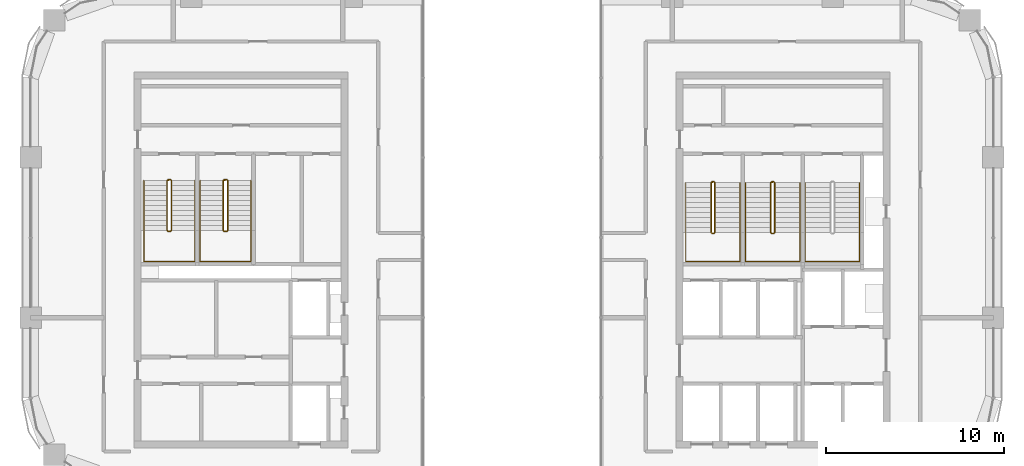
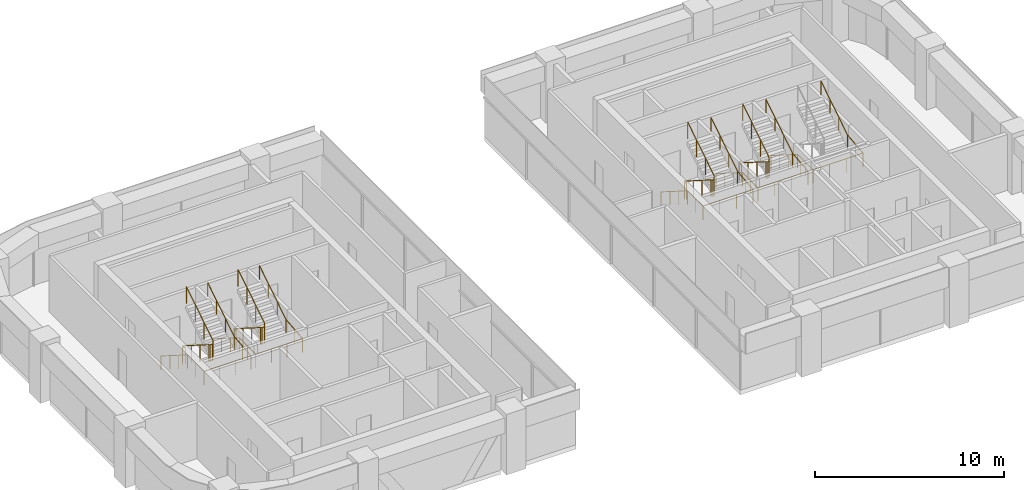
# One storey, part 10 of 11: 9 railings.
"""IFC4 building model written with IfcOpenShell, lengths in metres."""

import ifcopenshell
import ifcopenshell.guid

model = None  # the IFC model being written
_history = None  # IfcOwnerHistory: only IFC2X3 demands one
_inside = {}  # id of a spatial element -> (the spatial element, [elements in it])
_under = {}  # id of a project, library or spatial element -> (it, [spatial elements below it])
_declared = {}  # id of a project -> (the project, [libraries it declares])
_typed = {}  # id of a type object -> (the type object, [elements of that type])
_made_of = {}  # id of a material, layer set ... -> (it, [elements and type objects made of it])


def new_model(schema):
    """Start an empty IFC model of exactly this schema.

    Asked for "IFC4X3", IfcOpenShell would pick the latest addendum, in which some entities
    have other attributes; the version numbers below select the first issue.
    IFC2X3 requires an IfcOwnerHistory on every rooted entity: one is made here for all.
    """
    global model, _history
    if schema == "IFC4X3":
        model = ifcopenshell.file(schema_version=(4, 3, 0, 0))
    else:
        model = ifcopenshell.file(schema=schema)
    _inside.clear()
    _under.clear()
    _declared.clear()
    _typed.clear()
    _made_of.clear()
    _history = None
    if model.schema == "IFC2X3":
        org = make("IfcOrganization", Name="unknown")
        user = make(
            "IfcPersonAndOrganization",
            ThePerson=make("IfcPerson", FamilyName="unknown"),
            TheOrganization=org,
        )
        app = make(
            "IfcApplication",
            ApplicationDeveloper=org,
            Version="unknown",
            ApplicationFullName="unknown",
            ApplicationIdentifier="unknown",
        )
        _history = make(
            "IfcOwnerHistory",
            OwningUser=user,
            OwningApplication=app,
            ChangeAction="ADDED",
            CreationDate=0,
        )
    return model


def make(cls, **values):
    """One entity of the class cls with the attributes given. An attribute that is None is left unset."""
    return model.create_entity(
        cls, **{name: value for name, value in values.items() if value is not None}
    )


def rooted(cls, **values):
    """An entity with a GlobalId (a new one), such as an element, a storey or a relation."""
    return make(cls, GlobalId=ifcopenshell.guid.new(), OwnerHistory=_history, **values)


def si_unit(unit_type, name, prefix=None):
    """IfcSIUnit, for example si_unit("LENGTHUNIT", "METRE", prefix="MILLI")."""
    return make("IfcSIUnit", UnitType=unit_type, Prefix=prefix, Name=name)


def assignment(units):
    """IfcUnitAssignment: the units of a project."""
    return None if units is None else make("IfcUnitAssignment", Units=units)


def point(xyz):
    """IfcCartesianPoint."""
    return None if xyz is None else make("IfcCartesianPoint", Coordinates=xyz)


def direction(xyz):
    """IfcDirection."""
    return None if xyz is None else make("IfcDirection", DirectionRatios=xyz)


def frame(location, z_axis=None, x_axis=None):
    """IfcAxis2Placement3D, a coordinate frame: its origin and axes. An axis left out is left unset."""
    return make(
        "IfcAxis2Placement3D",
        Location=point(location),
        Axis=direction(z_axis),
        RefDirection=direction(x_axis),
    )


def frame_2d(location, x_axis=None):
    """IfcAxis2Placement2D, a coordinate frame in the plane: its origin and x axis."""
    return make(
        "IfcAxis2Placement2D", Location=point(location), RefDirection=direction(x_axis)
    )


def origin():
    """The frame at (0, 0, 0) with its axes left unset."""
    return frame((0.0, 0.0, 0.0))


def origin_2d():
    """The frame at (0, 0) in the plane with its x axis left unset."""
    return frame_2d((0.0, 0.0))


def place(relative_to, where):
    """IfcLocalPlacement: puts the frame where relative to a parent placement (None: the world)."""
    return make(
        "IfcLocalPlacement", PlacementRelTo=relative_to, RelativePlacement=where
    )


def context(
    kind, dimensions, precision=None, world=None, true_north=None, identifier=None
):
    """IfcGeometricRepresentationContext, for example the 3D "Model" context."""
    return make(
        "IfcGeometricRepresentationContext",
        ContextIdentifier=identifier,
        ContextType=kind,
        CoordinateSpaceDimension=dimensions,
        Precision=precision,
        WorldCoordinateSystem=world,
        TrueNorth=true_north,
    )


def subcontext(parent, identifier, kind, view, scale=None):
    """IfcGeometricRepresentationSubContext, for example "Body" below "Model"."""
    return make(
        "IfcGeometricRepresentationSubContext",
        ContextIdentifier=identifier,
        ContextType=kind,
        ParentContext=parent,
        TargetScale=scale,
        TargetView=view,
    )


def project(units=None, contexts=None):
    """IfcProject with its units and contexts."""
    return rooted(
        "IfcProject",
        Name="project",
        RepresentationContexts=contexts,
        UnitsInContext=assignment(units),
    )


def spatial(cls, under=None, at=None, **own):
    """A site, building, storey or space (cls), placed at a placement, below another one or the project."""
    s = rooted(cls, ObjectPlacement=at, **own)
    if under is not None:
        _under.setdefault(under.id(), (under, []))[1].append(s)
    return s


def profile(cls, at=None, kind="AREA", **sizes):
    """A parametric profile (cls). Its sizes go by their IFC names, for example OverallWidth=200.0."""
    return make(cls, ProfileType=kind, Position=at, **sizes)


def circle(**sizes):
    """IfcCircleProfileDef."""
    return profile("IfcCircleProfileDef", **sizes)


def extrude(swept, where, along, depth):
    """IfcExtrudedAreaSolid: the profile swept, set in the frame where, extruded along a direction by depth."""
    return make(
        "IfcExtrudedAreaSolid",
        SweptArea=swept,
        Position=where,
        ExtrudedDirection=direction(along),
        Depth=depth,
    )


def shape(context_of_items, identifier, shape_type, items):
    """IfcShapeRepresentation: the items that make up one representation, for example the "Body"."""
    return make(
        "IfcShapeRepresentation",
        ContextOfItems=context_of_items,
        RepresentationIdentifier=identifier,
        RepresentationType=shape_type,
        Items=items,
    )


def material(Name=None, Category=None):
    """IfcMaterial."""
    return make("IfcMaterial", Name=Name, Category=Category)


def made_of(thing, what):
    """Note that an element or type object is made of a material, layer set ...; save() writes the relation."""
    if what is not None:
        _made_of.setdefault(what.id(), (what, []))[1].append(thing)
    return thing


def type_object(cls, material=None, **own):
    """A type object (cls), such as IfcWallType, which elements share."""
    return made_of(rooted(cls, **own), material)


def element(
    cls,
    number,
    at=None,
    inside=None,
    cuts=None,
    type_object=None,
    material=None,
    context=None,
    identifier="Body",
    shape_type=None,
    held_by="IfcProductDefinitionShape",
    body=None,
    shapes=None,
    **own,
):
    """One element of the class cls, such as IfcWall. Its Tag is "e" and its number.

    at: its placement. inside: the storey or other place that contains it. cuts: it is an
    opening in that element (IfcRelVoidsElement). A single representation is given by context,
    identifier, shape_type and body (its items); several are given by shapes. held_by: the class
    of the entity that holds the representations. save() writes the other relations.
    """
    e = rooted(cls, Tag="e%d" % number, ObjectPlacement=at, **own)
    if body is not None:
        shapes = [shape(context, identifier, shape_type, body)]
    if shapes is not None:
        e.Representation = make(held_by, Representations=shapes)
    if inside is not None:
        _inside.setdefault(inside.id(), (inside, []))[1].append(e)
    if cuts is not None:
        rooted(
            "IfcRelVoidsElement", RelatingBuildingElement=cuts, RelatedOpeningElement=e
        )
    if type_object is not None:
        _typed.setdefault(type_object.id(), (type_object, []))[1].append(e)
    return made_of(e, material)


def aggregate(whole, parts):
    """IfcRelAggregates: a whole, such as a stair, and the parts it consists of."""
    return rooted("IfcRelAggregates", RelatingObject=whole, RelatedObjects=parts)


def save(model, path):
    """Write the relations noted so far, then the file.

    IfcRelAggregates (storeys below a building ...), IfcRelContainedInSpatialStructure (elements
    in a storey), IfcRelDefinesByType, IfcRelAssociatesMaterial and IfcRelDeclares: one each for
    every whole, place, type object, material and project.
    """
    for whole, parts in _under.values():
        aggregate(whole, parts)
    for where, things in _inside.values():
        rooted(
            "IfcRelContainedInSpatialStructure",
            RelatedElements=things,
            RelatingStructure=where,
        )
    for kind, things in _typed.values():
        rooted("IfcRelDefinesByType", RelatedObjects=things, RelatingType=kind)
    for what, things in _made_of.values():
        rooted("IfcRelAssociatesMaterial", RelatedObjects=things, RelatingMaterial=what)
    for by, libraries in _declared.values():
        rooted("IfcRelDeclares", RelatingContext=by, RelatedDefinitions=libraries)
    model.write(path)


model = new_model("IFC4")

# Units and contexts
model_context = context("Model", 3, precision=1e-05, world=origin(), true_north=direction((0.0, 1.0)))
body_context = subcontext(model_context, "Body", "Model", "MODEL_VIEW")
ifc_project = project(units=[si_unit("LENGTHUNIT", "METRE"), si_unit("AREAUNIT", "SQUARE_METRE"), si_unit("VOLUMEUNIT", "CUBIC_METRE"), si_unit("PLANEANGLEUNIT", "RADIAN"), si_unit("MASSUNIT", "GRAM", prefix="KILO")], contexts=[model_context])

# Site, building, storey
site_placement = place(None, origin())
site = spatial("IfcSite", under=ifc_project, at=site_placement, CompositionType="ELEMENT")
building_placement = place(site_placement, origin())
building = spatial("IfcBuilding", under=site, at=building_placement, Name="Tessera Arch", CompositionType="ELEMENT")
storey_placement = place(building_placement, frame((0.0, 0.0, 211.10009765625)))
storey = spatial("IfcBuildingStorey", under=building, at=storey_placement, Name="L50", CompositionType="ELEMENT", Elevation=211.10009765625)

# Railings
ifc_material_1 = material(Name="Painted steel balustrade", Category="steel")
railing_type_1 = type_object("IfcRailingType", Name="Stair guard 1100", PredefinedType="GUARDRAIL", material=ifc_material_1)
railing_1_placement = place(storey_placement, frame((38.219970703125, 43.6298828125, 0.0)))
element("IfcRailing", 1, at=railing_1_placement, inside=storey, type_object=railing_type_1, Name="L50 S1a stair guard 1", PredefinedType="GUARDRAIL", context=body_context, shape_type="SweptSolid", body=[
    extrude(circle(Radius=0.02392578125, at=origin_2d()), frame((-0.00390625, 0.0, 1.076171875), z_axis=(1.0, 0.0, 0.0), x_axis=(0.0, 1.0, 0.0)), (0.0, 0.0, 1.0), 0.1181640625),
    extrude(circle(Radius=0.02392578125, at=origin_2d()), frame((0.11279296875, 0.000732421875, 1.0732421875), z_axis=(-0.656319048605, -0.204099216335, 0.726353093426), x_axis=(0.296948579431, -0.954893471113, 0.0)), (0.0, 0.0, 1.0), 0.251953125),
    extrude(circle(Radius=0.02392578125, at=origin_2d()), frame((-0.050048828125, -0.04638671875, 1.251220703125), z_axis=(0.0, -0.844908973607, 0.534910110503), x_axis=(1.0, 0.0, 0.0)), (0.0, 0.0, 1.0), 3.322021484375),
    extrude(circle(Radius=0.02392578125, at=origin_2d()), frame((-0.052978515625, -2.846923828125, 3.02587890625), z_axis=(0.707106781187, -0.707106781187, 0.0), x_axis=(0.707106781187, 0.707106781187, 0.0)), (0.0, 0.0, 1.0), 0.078857421875),
    extrude(circle(Radius=0.02392578125, at=origin_2d()), frame((-0.00390625, -2.89990234375, 3.02587890625), z_axis=(1.0, 0.0, 0.0), x_axis=(0.0, 1.0, 0.0)), (0.0, 0.0, 1.0), 0.1181640625),
    extrude(circle(Radius=0.02392578125, at=origin_2d()), frame((0.109130859375, -2.90087890625, 3.022216796875), z_axis=(0.261041864531, 0.262321481514, 0.929001929653), x_axis=(-0.708833529934, 0.705375805398, 0.0)), (0.0, 0.0, 1.0), 0.19873046875),
    extrude(circle(Radius=0.02392578125, at=origin_2d()), frame((0.159912109375, -2.853271484375, 3.201171875), z_axis=(0.0, 0.844908973607, 0.534910110503), x_axis=(-1.0, 0.0, 0.0)), (0.0, 0.0, 1.0), 3.322021484375),
    extrude(circle(Radius=0.02099609375, at=origin_2d()), origin(), (0.0, 0.0, 1.0), 1.06396484375),
    extrude(circle(Radius=0.02099609375, at=origin_2d()), frame((0.110107421875, 0.0, 0.0)), (0.0, 0.0, 1.0), 1.06396484375),
    extrude(circle(Radius=0.02099609375, at=origin_2d()), frame((-0.050048828125, -0.0498046875, 0.17724609375)), (0.0, 0.0, 1.0), 1.06396484375),
    extrude(circle(Radius=0.02099609375, at=origin_2d()), frame((-0.050048828125, -0.983154296875, 0.76806640625)), (0.0, 0.0, 1.0), 1.06396484375),
    extrude(circle(Radius=0.02099609375, at=origin_2d()), frame((-0.050048828125, -1.91650390625, 1.359130859375)), (0.0, 0.0, 1.0), 1.06396484375),
    extrude(circle(Radius=0.02099609375, at=origin_2d()), frame((-0.050048828125, -2.849853515625, 1.949951171875)), (0.0, 0.0, 1.0), 1.06396484375),
    extrude(circle(Radius=0.02099609375, at=origin_2d()), frame((0.0, -2.89990234375, 1.949951171875)), (0.0, 0.0, 1.0), 1.06396484375),
    extrude(circle(Radius=0.02099609375, at=origin_2d()), frame((0.110107421875, -2.89990234375, 1.949951171875)), (0.0, 0.0, 1.0), 1.06396484375),
    extrude(circle(Radius=0.02099609375, at=origin_2d()), frame((0.159912109375, -2.849853515625, 2.127197265625)), (0.0, 0.0, 1.0), 1.06396484375),
    extrude(circle(Radius=0.02099609375, at=origin_2d()), frame((0.159912109375, -1.91650390625, 2.718017578125)), (0.0, 0.0, 1.0), 1.06396484375),
    extrude(circle(Radius=0.02099609375, at=origin_2d()), frame((0.159912109375, -0.983154296875, 3.30908203125)), (0.0, 0.0, 1.0), 1.06396484375),
    extrude(circle(Radius=0.02099609375, at=origin_2d()), frame((0.159912109375, -0.0498046875, 3.89990234375)), (0.0, 0.0, 1.0), 1.06396484375),
])
railing_2_placement = place(storey_placement, frame((41.570068359375, 43.6298828125, 0.0)))
element("IfcRailing", 2, at=railing_2_placement, inside=storey, type_object=railing_type_1, Name="L50 S1b stair guard 1", PredefinedType="GUARDRAIL", context=body_context, shape_type="SweptSolid", body=[
    extrude(circle(Radius=0.02392578125, at=origin_2d()), frame((-0.00390625, 0.0, 1.076171875), z_axis=(1.0, 0.0, 0.0), x_axis=(0.0, 1.0, 0.0)), (0.0, 0.0, 1.0), 0.117919921875),
    extrude(circle(Radius=0.02392578125, at=origin_2d()), frame((0.112548828125, 0.000732421875, 1.0732421875), z_axis=(-0.65574896516, -0.204233265485, 0.726830150696), x_axis=(0.297361876254, -0.954764847777, 0.0)), (0.0, 0.0, 1.0), 0.251953125),
    extrude(circle(Radius=0.02392578125, at=origin_2d()), frame((-0.050048828125, -0.04638671875, 1.251220703125), z_axis=(0.0, -0.844908973607, 0.534910110503), x_axis=(1.0, 0.0, 0.0)), (0.0, 0.0, 1.0), 3.322021484375),
    extrude(circle(Radius=0.02392578125, at=origin_2d()), frame((-0.052978515625, -2.846923828125, 3.02587890625), z_axis=(0.707106781187, -0.707106781187, 0.0), x_axis=(0.707106781187, 0.707106781187, 0.0)), (0.0, 0.0, 1.0), 0.078857421875),
    extrude(circle(Radius=0.02392578125, at=origin_2d()), frame((-0.00390625, -2.89990234375, 3.02587890625), z_axis=(1.0, 0.0, 0.0), x_axis=(0.0, 1.0, 0.0)), (0.0, 0.0, 1.0), 0.117919921875),
    extrude(circle(Radius=0.02392578125, at=origin_2d()), frame((0.10888671875, -2.90087890625, 3.022216796875), z_axis=(0.262233686654, 0.262233686654, 0.928691007369), x_axis=(-0.707106781187, 0.707106781187, 0.0)), (0.0, 0.0, 1.0), 0.198974609375),
    extrude(circle(Radius=0.02392578125, at=origin_2d()), frame((0.159912109375, -2.853271484375, 3.201171875), z_axis=(0.0, 0.844908973607, 0.534910110503), x_axis=(-1.0, 0.0, 0.0)), (0.0, 0.0, 1.0), 3.322021484375),
    extrude(circle(Radius=0.02099609375, at=origin_2d()), origin(), (0.0, 0.0, 1.0), 1.06396484375),
    extrude(circle(Radius=0.02099609375, at=origin_2d()), frame((0.10986328125, 0.0, 0.0)), (0.0, 0.0, 1.0), 1.06396484375),
    extrude(circle(Radius=0.02099609375, at=origin_2d()), frame((-0.050048828125, -0.0498046875, 0.17724609375)), (0.0, 0.0, 1.0), 1.06396484375),
    extrude(circle(Radius=0.02099609375, at=origin_2d()), frame((-0.050048828125, -0.983154296875, 0.76806640625)), (0.0, 0.0, 1.0), 1.06396484375),
    extrude(circle(Radius=0.02099609375, at=origin_2d()), frame((-0.050048828125, -1.91650390625, 1.359130859375)), (0.0, 0.0, 1.0), 1.06396484375),
    extrude(circle(Radius=0.02099609375, at=origin_2d()), frame((-0.050048828125, -2.849853515625, 1.949951171875)), (0.0, 0.0, 1.0), 1.06396484375),
    extrude(circle(Radius=0.02099609375, at=origin_2d()), frame((0.0, -2.89990234375, 1.949951171875)), (0.0, 0.0, 1.0), 1.06396484375),
    extrude(circle(Radius=0.02099609375, at=origin_2d()), frame((0.10986328125, -2.89990234375, 1.949951171875)), (0.0, 0.0, 1.0), 1.06396484375),
    extrude(circle(Radius=0.02099609375, at=origin_2d()), frame((0.159912109375, -2.849853515625, 2.127197265625)), (0.0, 0.0, 1.0), 1.06396484375),
    extrude(circle(Radius=0.02099609375, at=origin_2d()), frame((0.159912109375, -1.91650390625, 2.718017578125)), (0.0, 0.0, 1.0), 1.06396484375),
    extrude(circle(Radius=0.02099609375, at=origin_2d()), frame((0.159912109375, -0.983154296875, 3.30908203125)), (0.0, 0.0, 1.0), 1.06396484375),
    extrude(circle(Radius=0.02099609375, at=origin_2d()), frame((0.159912109375, -0.0498046875, 3.89990234375)), (0.0, 0.0, 1.0), 1.06396484375),
])
railing_3_placement = place(storey_placement, frame((7.699951171875, 43.75, 0.0)))
element("IfcRailing", 3, at=railing_3_placement, inside=storey, type_object=railing_type_1, Name="L50 S2a stair guard 1", PredefinedType="GUARDRAIL", context=body_context, shape_type="SweptSolid", body=[
    extrude(circle(Radius=0.02392578125, at=origin_2d()), frame((-0.00390625, 0.0, 1.076171875), z_axis=(1.0, 0.0, 0.0), x_axis=(0.0, 1.0, 0.0)), (0.0, 0.0, 1.0), 0.158203125),
    extrude(circle(Radius=0.02392578125, at=origin_2d()), frame((0.153076171875, 0.000732421875, 1.073486328125), z_axis=(-0.735936453418, -0.183984113355, 0.651573006319), x_axis=(0.242535625036, -0.970142500145, 0.0)), (0.0, 0.0, 1.0), 0.280029296875),
    extrude(circle(Radius=0.02392578125, at=origin_2d()), frame((-0.050048828125, -0.046630859375, 1.251220703125), z_axis=(0.0, -0.844908973607, 0.534910110503), x_axis=(1.0, 0.0, 0.0)), (0.0, 0.0, 1.0), 3.322021484375),
    extrude(circle(Radius=0.02392578125, at=origin_2d()), frame((-0.052978515625, -2.84716796875, 3.02587890625), z_axis=(0.708833529934, -0.705375805398, 0.0), x_axis=(0.705375805398, 0.708833529934, 0.0)), (0.0, 0.0, 1.0), 0.07861328125),
    extrude(circle(Radius=0.02392578125, at=origin_2d()), frame((-0.00390625, -2.89990234375, 3.02587890625), z_axis=(1.0, 0.0, 0.0), x_axis=(0.0, 1.0, 0.0)), (0.0, 0.0, 1.0), 0.158203125),
    extrude(circle(Radius=0.02392578125, at=origin_2d()), frame((0.149169921875, -2.90087890625, 3.022216796875), z_axis=(0.261129318932, 0.261129318932, 0.929313164433), x_axis=(-0.707106781187, 0.707106781187, 0.0)), (0.0, 0.0, 1.0), 0.19873046875),
    extrude(circle(Radius=0.02392578125, at=origin_2d()), frame((0.199951171875, -2.853515625, 3.201171875), z_axis=(0.0, 0.844908973607, 0.534910110503), x_axis=(-1.0, 0.0, 0.0)), (0.0, 0.0, 1.0), 3.322021484375),
    extrude(circle(Radius=0.02099609375, at=origin_2d()), origin(), (0.0, 0.0, 1.0), 1.06396484375),
    extrude(circle(Radius=0.02099609375, at=origin_2d()), frame((0.150146484375, 0.0, 0.0)), (0.0, 0.0, 1.0), 1.06396484375),
    extrude(circle(Radius=0.02099609375, at=origin_2d()), frame((-0.050048828125, -0.050048828125, 0.17724609375)), (0.0, 0.0, 1.0), 1.06396484375),
    extrude(circle(Radius=0.02099609375, at=origin_2d()), frame((-0.050048828125, -0.9833984375, 0.76806640625)), (0.0, 0.0, 1.0), 1.06396484375),
    extrude(circle(Radius=0.02099609375, at=origin_2d()), frame((-0.050048828125, -1.916748046875, 1.359130859375)), (0.0, 0.0, 1.0), 1.06396484375),
    extrude(circle(Radius=0.02099609375, at=origin_2d()), frame((-0.050048828125, -2.85009765625, 1.949951171875)), (0.0, 0.0, 1.0), 1.06396484375),
    extrude(circle(Radius=0.02099609375, at=origin_2d()), frame((0.0, -2.89990234375, 1.949951171875)), (0.0, 0.0, 1.0), 1.06396484375),
    extrude(circle(Radius=0.02099609375, at=origin_2d()), frame((0.150146484375, -2.89990234375, 1.949951171875)), (0.0, 0.0, 1.0), 1.06396484375),
    extrude(circle(Radius=0.02099609375, at=origin_2d()), frame((0.199951171875, -2.85009765625, 2.127197265625)), (0.0, 0.0, 1.0), 1.06396484375),
    extrude(circle(Radius=0.02099609375, at=origin_2d()), frame((0.199951171875, -1.916748046875, 2.718017578125)), (0.0, 0.0, 1.0), 1.06396484375),
    extrude(circle(Radius=0.02099609375, at=origin_2d()), frame((0.199951171875, -0.9833984375, 3.30908203125)), (0.0, 0.0, 1.0), 1.06396484375),
    extrude(circle(Radius=0.02099609375, at=origin_2d()), frame((0.199951171875, -0.050048828125, 3.89990234375)), (0.0, 0.0, 1.0), 1.06396484375),
])
railing_4_placement = place(storey_placement, frame((10.85009765625, 43.75, 0.0)))
element("IfcRailing", 4, at=railing_4_placement, inside=storey, type_object=railing_type_1, Name="L50 S2b stair guard 1", PredefinedType="GUARDRAIL", context=body_context, shape_type="SweptSolid", body=[
    extrude(circle(Radius=0.02392578125, at=origin_2d()), frame((-0.00390625, 0.0, 1.076171875), z_axis=(1.0, 0.0, 0.0), x_axis=(0.0, 1.0, 0.0)), (0.0, 0.0, 1.0), 0.157958984375),
    extrude(circle(Radius=0.02392578125, at=origin_2d()), frame((0.15283203125, 0.000732421875, 1.073486328125), z_axis=(-0.735524641326, -0.184105679453, 0.652003528208), x_axis=(0.242814311512, -0.970072785993, 0.0)), (0.0, 0.0, 1.0), 0.27978515625),
    extrude(circle(Radius=0.02392578125, at=origin_2d()), frame((-0.050048828125, -0.046630859375, 1.251220703125), z_axis=(0.0, -0.844908973607, 0.534910110503), x_axis=(1.0, 0.0, 0.0)), (0.0, 0.0, 1.0), 3.322021484375),
    extrude(circle(Radius=0.02392578125, at=origin_2d()), frame((-0.052978515625, -2.84716796875, 3.02587890625), z_axis=(0.708833529934, -0.705375805398, 0.0), x_axis=(0.705375805398, 0.708833529934, 0.0)), (0.0, 0.0, 1.0), 0.07861328125),
    extrude(circle(Radius=0.02392578125, at=origin_2d()), frame((-0.00390625, -2.89990234375, 3.02587890625), z_axis=(1.0, 0.0, 0.0), x_axis=(0.0, 1.0, 0.0)), (0.0, 0.0, 1.0), 0.157958984375),
    extrude(circle(Radius=0.02392578125, at=origin_2d()), frame((0.14892578125, -2.90087890625, 3.022216796875), z_axis=(0.262321481514, 0.261041864531, 0.929001929653), x_axis=(-0.705375805398, 0.708833529934, 0.0)), (0.0, 0.0, 1.0), 0.19873046875),
    extrude(circle(Radius=0.02392578125, at=origin_2d()), frame((0.199951171875, -2.853515625, 3.201171875), z_axis=(0.0, 0.844908973607, 0.534910110503), x_axis=(-1.0, 0.0, 0.0)), (0.0, 0.0, 1.0), 3.322021484375),
    extrude(circle(Radius=0.02099609375, at=origin_2d()), origin(), (0.0, 0.0, 1.0), 1.06396484375),
    extrude(circle(Radius=0.02099609375, at=origin_2d()), frame((0.14990234375, 0.0, 0.0)), (0.0, 0.0, 1.0), 1.06396484375),
    extrude(circle(Radius=0.02099609375, at=origin_2d()), frame((-0.050048828125, -0.050048828125, 0.17724609375)), (0.0, 0.0, 1.0), 1.06396484375),
    extrude(circle(Radius=0.02099609375, at=origin_2d()), frame((-0.050048828125, -0.9833984375, 0.76806640625)), (0.0, 0.0, 1.0), 1.06396484375),
    extrude(circle(Radius=0.02099609375, at=origin_2d()), frame((-0.050048828125, -1.916748046875, 1.359130859375)), (0.0, 0.0, 1.0), 1.06396484375),
    extrude(circle(Radius=0.02099609375, at=origin_2d()), frame((-0.050048828125, -2.85009765625, 1.949951171875)), (0.0, 0.0, 1.0), 1.06396484375),
    extrude(circle(Radius=0.02099609375, at=origin_2d()), frame((0.0, -2.89990234375, 1.949951171875)), (0.0, 0.0, 1.0), 1.06396484375),
    extrude(circle(Radius=0.02099609375, at=origin_2d()), frame((0.14990234375, -2.89990234375, 1.949951171875)), (0.0, 0.0, 1.0), 1.06396484375),
    extrude(circle(Radius=0.02099609375, at=origin_2d()), frame((0.199951171875, -2.85009765625, 2.127197265625)), (0.0, 0.0, 1.0), 1.06396484375),
    extrude(circle(Radius=0.02099609375, at=origin_2d()), frame((0.199951171875, -1.916748046875, 2.718017578125)), (0.0, 0.0, 1.0), 1.06396484375),
    extrude(circle(Radius=0.02099609375, at=origin_2d()), frame((0.199951171875, -0.9833984375, 3.30908203125)), (0.0, 0.0, 1.0), 1.06396484375),
    extrude(circle(Radius=0.02099609375, at=origin_2d()), frame((0.199951171875, -0.050048828125, 3.89990234375)), (0.0, 0.0, 1.0), 1.06396484375),
])
ifc_material_2 = material(Name="Painted steel handrail", Category="steel")
railing_type_2 = type_object("IfcRailingType", Name="Stair handrail 900", PredefinedType="HANDRAIL", material=ifc_material_2)
railing_5_placement = place(storey_placement, frame((36.75, 43.580078125, 0.17724609375)))
element("IfcRailing", 5, at=railing_5_placement, inside=storey, type_object=railing_type_2, Name="L50 S1a stair handrail", PredefinedType="HANDRAIL", context=body_context, shape_type="SweptSolid", body=[
    extrude(circle(Radius=0.02392578125, at=origin_2d()), frame((0.0, 0.00341796875, 0.873779296875), z_axis=(0.0, -0.844908973607, 0.534910110503), x_axis=(1.0, 0.0, 0.0)), (0.0, 0.0, 1.0), 3.322021484375),
    extrude(circle(Radius=0.02392578125, at=origin_2d()), frame((0.0, -2.796142578125, 2.6484375), z_axis=(0.0, -1.0, 0.0), x_axis=(1.0, 0.0, 0.0)), (0.0, 0.0, 1.0), 1.63818359375),
    extrude(circle(Radius=0.02392578125, at=origin_2d()), frame((-0.00390625, -4.43017578125, 2.6484375), z_axis=(1.0, 0.0, 0.0), x_axis=(0.0, 1.0, 0.0)), (0.0, 0.0, 1.0), 3.05810546875),
    extrude(circle(Radius=0.02392578125, at=origin_2d()), frame((3.050048828125, -4.43408203125, 2.648193359375), z_axis=(0.0, 0.994140637614, 0.108094369164), x_axis=(-1.0, 0.0, 0.0)), (0.0, 0.0, 1.0), 1.647705078125),
    extrude(circle(Radius=0.02392578125, at=origin_2d()), frame((3.050048828125, -2.803466796875, 2.82373046875), z_axis=(0.0, 0.844908973607, 0.534910110503), x_axis=(-1.0, 0.0, 0.0)), (0.0, 0.0, 1.0), 3.322021484375),
    extrude(circle(Radius=0.02099609375, at=origin_2d()), origin(), (0.0, 0.0, 1.0), 0.86376953125),
    extrude(circle(Radius=0.02099609375, at=origin_2d()), frame((0.0, -0.933349609375, 0.5908203125)), (0.0, 0.0, 1.0), 0.86376953125),
    extrude(circle(Radius=0.02099609375, at=origin_2d()), frame((0.0, -1.86669921875, 1.181884765625)), (0.0, 0.0, 1.0), 0.86376953125),
    extrude(circle(Radius=0.02099609375, at=origin_2d()), frame((0.0, -2.800048828125, 1.772705078125)), (0.0, 0.0, 1.0), 0.86376953125),
    extrude(circle(Radius=0.02099609375, at=origin_2d()), frame((0.0, -3.615234375, 1.772705078125)), (0.0, 0.0, 1.0), 0.86376953125),
    extrude(circle(Radius=0.02099609375, at=origin_2d()), frame((0.0, -4.43017578125, 1.772705078125)), (0.0, 0.0, 1.0), 0.86376953125),
    extrude(circle(Radius=0.02099609375, at=origin_2d()), frame((1.0166015625, -4.43017578125, 1.772705078125)), (0.0, 0.0, 1.0), 0.86376953125),
    extrude(circle(Radius=0.02099609375, at=origin_2d()), frame((2.033447265625, -4.43017578125, 1.772705078125)), (0.0, 0.0, 1.0), 0.86376953125),
    extrude(circle(Radius=0.02099609375, at=origin_2d()), frame((3.050048828125, -4.43017578125, 1.772705078125)), (0.0, 0.0, 1.0), 0.86376953125),
    extrude(circle(Radius=0.02099609375, at=origin_2d()), frame((3.050048828125, -3.615234375, 1.861328125)), (0.0, 0.0, 1.0), 0.86376953125),
    extrude(circle(Radius=0.02099609375, at=origin_2d()), frame((3.050048828125, -2.800048828125, 1.949951171875)), (0.0, 0.0, 1.0), 0.86376953125),
    extrude(circle(Radius=0.02099609375, at=origin_2d()), frame((3.050048828125, -1.86669921875, 2.540771484375)), (0.0, 0.0, 1.0), 0.86376953125),
    extrude(circle(Radius=0.02099609375, at=origin_2d()), frame((3.050048828125, -0.933349609375, 3.1318359375)), (0.0, 0.0, 1.0), 0.86376953125),
    extrude(circle(Radius=0.02099609375, at=origin_2d()), frame((3.050048828125, 0.0, 3.72265625)), (0.0, 0.0, 1.0), 0.86376953125),
])
railing_6_placement = place(storey_placement, frame((40.10009765625, 43.580078125, 0.17724609375)))
element("IfcRailing", 6, at=railing_6_placement, inside=storey, type_object=railing_type_2, Name="L50 S1b stair handrail", PredefinedType="HANDRAIL", context=body_context, shape_type="SweptSolid", body=[
    extrude(circle(Radius=0.02392578125, at=origin_2d()), frame((0.0, 0.00341796875, 0.873779296875), z_axis=(0.0, -0.844908973607, 0.534910110503), x_axis=(1.0, 0.0, 0.0)), (0.0, 0.0, 1.0), 3.322021484375),
    extrude(circle(Radius=0.02392578125, at=origin_2d()), frame((0.0, -2.796142578125, 2.6484375), z_axis=(0.0, -1.0, 0.0), x_axis=(1.0, 0.0, 0.0)), (0.0, 0.0, 1.0), 1.63818359375),
    extrude(circle(Radius=0.02392578125, at=origin_2d()), frame((-0.00390625, -4.43017578125, 2.6484375), z_axis=(1.0, 0.0, 0.0), x_axis=(0.0, 1.0, 0.0)), (0.0, 0.0, 1.0), 3.057861328125),
    extrude(circle(Radius=0.02392578125, at=origin_2d()), frame((3.0498046875, -4.43408203125, 2.648193359375), z_axis=(0.0, 0.994140637614, 0.108094369164), x_axis=(-1.0, 0.0, 0.0)), (0.0, 0.0, 1.0), 1.647705078125),
    extrude(circle(Radius=0.02392578125, at=origin_2d()), frame((3.0498046875, -2.803466796875, 2.82373046875), z_axis=(0.0, 0.844908973607, 0.534910110503), x_axis=(-1.0, 0.0, 0.0)), (0.0, 0.0, 1.0), 3.322021484375),
    extrude(circle(Radius=0.02099609375, at=origin_2d()), origin(), (0.0, 0.0, 1.0), 0.86376953125),
    extrude(circle(Radius=0.02099609375, at=origin_2d()), frame((0.0, -0.933349609375, 0.5908203125)), (0.0, 0.0, 1.0), 0.86376953125),
    extrude(circle(Radius=0.02099609375, at=origin_2d()), frame((0.0, -1.86669921875, 1.181884765625)), (0.0, 0.0, 1.0), 0.86376953125),
    extrude(circle(Radius=0.02099609375, at=origin_2d()), frame((0.0, -2.800048828125, 1.772705078125)), (0.0, 0.0, 1.0), 0.86376953125),
    extrude(circle(Radius=0.02099609375, at=origin_2d()), frame((0.0, -3.615234375, 1.772705078125)), (0.0, 0.0, 1.0), 0.86376953125),
    extrude(circle(Radius=0.02099609375, at=origin_2d()), frame((0.0, -4.43017578125, 1.772705078125)), (0.0, 0.0, 1.0), 0.86376953125),
    extrude(circle(Radius=0.02099609375, at=origin_2d()), frame((1.0166015625, -4.43017578125, 1.772705078125)), (0.0, 0.0, 1.0), 0.86376953125),
    extrude(circle(Radius=0.02099609375, at=origin_2d()), frame((2.033203125, -4.43017578125, 1.772705078125)), (0.0, 0.0, 1.0), 0.86376953125),
    extrude(circle(Radius=0.02099609375, at=origin_2d()), frame((3.0498046875, -4.43017578125, 1.772705078125)), (0.0, 0.0, 1.0), 0.86376953125),
    extrude(circle(Radius=0.02099609375, at=origin_2d()), frame((3.0498046875, -3.615234375, 1.861328125)), (0.0, 0.0, 1.0), 0.86376953125),
    extrude(circle(Radius=0.02099609375, at=origin_2d()), frame((3.0498046875, -2.800048828125, 1.949951171875)), (0.0, 0.0, 1.0), 0.86376953125),
    extrude(circle(Radius=0.02099609375, at=origin_2d()), frame((3.0498046875, -1.86669921875, 2.540771484375)), (0.0, 0.0, 1.0), 0.86376953125),
    extrude(circle(Radius=0.02099609375, at=origin_2d()), frame((3.0498046875, -0.933349609375, 3.1318359375)), (0.0, 0.0, 1.0), 0.86376953125),
    extrude(circle(Radius=0.02099609375, at=origin_2d()), frame((3.0498046875, 0.0, 3.72265625)), (0.0, 0.0, 1.0), 0.86376953125),
])
railing_7_placement = place(storey_placement, frame((43.449951171875, 43.580078125, 0.17724609375)))
element("IfcRailing", 7, at=railing_7_placement, inside=storey, type_object=railing_type_2, Name="L50 S1c stair handrail", PredefinedType="HANDRAIL", context=body_context, shape_type="SweptSolid", body=[
    extrude(circle(Radius=0.02392578125, at=origin_2d()), frame((0.0, 0.00341796875, 0.873779296875), z_axis=(0.0, -0.844908973607, 0.534910110503), x_axis=(1.0, 0.0, 0.0)), (0.0, 0.0, 1.0), 3.322021484375),
    extrude(circle(Radius=0.02392578125, at=origin_2d()), frame((0.0, -2.796142578125, 2.6484375), z_axis=(0.0, -1.0, 0.0), x_axis=(1.0, 0.0, 0.0)), (0.0, 0.0, 1.0), 1.63818359375),
    extrude(circle(Radius=0.02392578125, at=origin_2d()), frame((-0.00390625, -4.43017578125, 2.6484375), z_axis=(1.0, 0.0, 0.0), x_axis=(0.0, 1.0, 0.0)), (0.0, 0.0, 1.0), 3.05810546875),
    extrude(circle(Radius=0.02392578125, at=origin_2d()), frame((3.050048828125, -4.43408203125, 2.648193359375), z_axis=(0.0, 0.994140637614, 0.108094369164), x_axis=(-1.0, 0.0, 0.0)), (0.0, 0.0, 1.0), 1.647705078125),
    extrude(circle(Radius=0.02392578125, at=origin_2d()), frame((3.050048828125, -2.803466796875, 2.82373046875), z_axis=(0.0, 0.844908973607, 0.534910110503), x_axis=(-1.0, 0.0, 0.0)), (0.0, 0.0, 1.0), 3.322021484375),
    extrude(circle(Radius=0.02099609375, at=origin_2d()), origin(), (0.0, 0.0, 1.0), 0.86376953125),
    extrude(circle(Radius=0.02099609375, at=origin_2d()), frame((0.0, -0.933349609375, 0.5908203125)), (0.0, 0.0, 1.0), 0.86376953125),
    extrude(circle(Radius=0.02099609375, at=origin_2d()), frame((0.0, -1.86669921875, 1.181884765625)), (0.0, 0.0, 1.0), 0.86376953125),
    extrude(circle(Radius=0.02099609375, at=origin_2d()), frame((0.0, -2.800048828125, 1.772705078125)), (0.0, 0.0, 1.0), 0.86376953125),
    extrude(circle(Radius=0.02099609375, at=origin_2d()), frame((0.0, -3.615234375, 1.772705078125)), (0.0, 0.0, 1.0), 0.86376953125),
    extrude(circle(Radius=0.02099609375, at=origin_2d()), frame((0.0, -4.43017578125, 1.772705078125)), (0.0, 0.0, 1.0), 0.86376953125),
    extrude(circle(Radius=0.02099609375, at=origin_2d()), frame((1.0166015625, -4.43017578125, 1.772705078125)), (0.0, 0.0, 1.0), 0.86376953125),
    extrude(circle(Radius=0.02099609375, at=origin_2d()), frame((2.033447265625, -4.43017578125, 1.772705078125)), (0.0, 0.0, 1.0), 0.86376953125),
    extrude(circle(Radius=0.02099609375, at=origin_2d()), frame((3.050048828125, -4.43017578125, 1.772705078125)), (0.0, 0.0, 1.0), 0.86376953125),
    extrude(circle(Radius=0.02099609375, at=origin_2d()), frame((3.050048828125, -3.615234375, 1.861328125)), (0.0, 0.0, 1.0), 0.86376953125),
    extrude(circle(Radius=0.02099609375, at=origin_2d()), frame((3.050048828125, -2.800048828125, 1.949951171875)), (0.0, 0.0, 1.0), 0.86376953125),
    extrude(circle(Radius=0.02099609375, at=origin_2d()), frame((3.050048828125, -1.86669921875, 2.540771484375)), (0.0, 0.0, 1.0), 0.86376953125),
    extrude(circle(Radius=0.02099609375, at=origin_2d()), frame((3.050048828125, -0.933349609375, 3.1318359375)), (0.0, 0.0, 1.0), 0.86376953125),
    extrude(circle(Radius=0.02099609375, at=origin_2d()), frame((3.050048828125, 0.0, 3.72265625)), (0.0, 0.0, 1.0), 0.86376953125),
])
railing_8_placement = place(storey_placement, frame((6.35009765625, 43.699951171875, 0.17724609375)))
element("IfcRailing", 8, at=railing_8_placement, inside=storey, type_object=railing_type_2, Name="L50 S2a stair handrail", PredefinedType="HANDRAIL", context=body_context, shape_type="SweptSolid", body=[
    extrude(circle(Radius=0.02392578125, at=origin_2d()), frame((0.0, 0.00341796875, 0.873779296875), z_axis=(0.0, -0.844908973607, 0.534910110503), x_axis=(1.0, 0.0, 0.0)), (0.0, 0.0, 1.0), 3.322021484375),
    extrude(circle(Radius=0.02392578125, at=origin_2d()), frame((0.0, -2.796142578125, 2.6484375), z_axis=(0.0, -1.0, 0.0), x_axis=(1.0, 0.0, 0.0)), (0.0, 0.0, 1.0), 1.758056640625),
    extrude(circle(Radius=0.02392578125, at=origin_2d()), frame((-0.00390625, -4.550048828125, 2.6484375), z_axis=(1.0, 0.0, 0.0), x_axis=(0.0, 1.0, 0.0)), (0.0, 0.0, 1.0), 2.85791015625),
    extrude(circle(Radius=0.02392578125, at=origin_2d()), frame((2.849853515625, -4.553955078125, 2.648193359375), z_axis=(0.0, 0.994909956378, 0.100767944801), x_axis=(-1.0, 0.0, 0.0)), (0.0, 0.0, 1.0), 1.766845703125),
    extrude(circle(Radius=0.02392578125, at=origin_2d()), frame((2.849853515625, -2.803466796875, 2.82373046875), z_axis=(0.0, 0.844908973607, 0.534910110503), x_axis=(-1.0, 0.0, 0.0)), (0.0, 0.0, 1.0), 3.322021484375),
    extrude(circle(Radius=0.02099609375, at=origin_2d()), origin(), (0.0, 0.0, 1.0), 0.86376953125),
    extrude(circle(Radius=0.02099609375, at=origin_2d()), frame((0.0, -0.933349609375, 0.5908203125)), (0.0, 0.0, 1.0), 0.86376953125),
    extrude(circle(Radius=0.02099609375, at=origin_2d()), frame((0.0, -1.86669921875, 1.181884765625)), (0.0, 0.0, 1.0), 0.86376953125),
    extrude(circle(Radius=0.02099609375, at=origin_2d()), frame((0.0, -2.800048828125, 1.772705078125)), (0.0, 0.0, 1.0), 0.86376953125),
    extrude(circle(Radius=0.02099609375, at=origin_2d()), frame((0.0, -3.675048828125, 1.772705078125)), (0.0, 0.0, 1.0), 0.86376953125),
    extrude(circle(Radius=0.02099609375, at=origin_2d()), frame((0.0, -4.550048828125, 1.772705078125)), (0.0, 0.0, 1.0), 0.86376953125),
    extrude(circle(Radius=0.02099609375, at=origin_2d()), frame((0.949951171875, -4.550048828125, 1.772705078125)), (0.0, 0.0, 1.0), 0.86376953125),
    extrude(circle(Radius=0.02099609375, at=origin_2d()), frame((1.89990234375, -4.550048828125, 1.772705078125)), (0.0, 0.0, 1.0), 0.86376953125),
    extrude(circle(Radius=0.02099609375, at=origin_2d()), frame((2.849853515625, -4.550048828125, 1.772705078125)), (0.0, 0.0, 1.0), 0.86376953125),
    extrude(circle(Radius=0.02099609375, at=origin_2d()), frame((2.849853515625, -3.675048828125, 1.861328125)), (0.0, 0.0, 1.0), 0.86376953125),
    extrude(circle(Radius=0.02099609375, at=origin_2d()), frame((2.849853515625, -2.800048828125, 1.949951171875)), (0.0, 0.0, 1.0), 0.86376953125),
    extrude(circle(Radius=0.02099609375, at=origin_2d()), frame((2.849853515625, -1.86669921875, 2.540771484375)), (0.0, 0.0, 1.0), 0.86376953125),
    extrude(circle(Radius=0.02099609375, at=origin_2d()), frame((2.849853515625, -0.933349609375, 3.1318359375)), (0.0, 0.0, 1.0), 0.86376953125),
    extrude(circle(Radius=0.02099609375, at=origin_2d()), frame((2.849853515625, 0.0, 3.72265625)), (0.0, 0.0, 1.0), 0.86376953125),
])
railing_9_placement = place(storey_placement, frame((9.5, 43.699951171875, 0.17724609375)))
element("IfcRailing", 9, at=railing_9_placement, inside=storey, type_object=railing_type_2, Name="L50 S2b stair handrail", PredefinedType="HANDRAIL", context=body_context, shape_type="SweptSolid", body=[
    extrude(circle(Radius=0.02392578125, at=origin_2d()), frame((0.0, 0.00341796875, 0.873779296875), z_axis=(0.0, -0.844908973607, 0.534910110503), x_axis=(1.0, 0.0, 0.0)), (0.0, 0.0, 1.0), 3.322021484375),
    extrude(circle(Radius=0.02392578125, at=origin_2d()), frame((0.0, -2.796142578125, 2.6484375), z_axis=(0.0, -1.0, 0.0), x_axis=(1.0, 0.0, 0.0)), (0.0, 0.0, 1.0), 1.758056640625),
    extrude(circle(Radius=0.02392578125, at=origin_2d()), frame((-0.00390625, -4.550048828125, 2.6484375), z_axis=(1.0, 0.0, 0.0), x_axis=(0.0, 1.0, 0.0)), (0.0, 0.0, 1.0), 2.858154296875),
    extrude(circle(Radius=0.02392578125, at=origin_2d()), frame((2.85009765625, -4.553955078125, 2.648193359375), z_axis=(0.0, 0.994909956378, 0.100767944801), x_axis=(-1.0, 0.0, 0.0)), (0.0, 0.0, 1.0), 1.766845703125),
    extrude(circle(Radius=0.02392578125, at=origin_2d()), frame((2.85009765625, -2.803466796875, 2.82373046875), z_axis=(0.0, 0.844908973607, 0.534910110503), x_axis=(-1.0, 0.0, 0.0)), (0.0, 0.0, 1.0), 3.322021484375),
    extrude(circle(Radius=0.02099609375, at=origin_2d()), origin(), (0.0, 0.0, 1.0), 0.86376953125),
    extrude(circle(Radius=0.02099609375, at=origin_2d()), frame((0.0, -0.933349609375, 0.5908203125)), (0.0, 0.0, 1.0), 0.86376953125),
    extrude(circle(Radius=0.02099609375, at=origin_2d()), frame((0.0, -1.86669921875, 1.181884765625)), (0.0, 0.0, 1.0), 0.86376953125),
    extrude(circle(Radius=0.02099609375, at=origin_2d()), frame((0.0, -2.800048828125, 1.772705078125)), (0.0, 0.0, 1.0), 0.86376953125),
    extrude(circle(Radius=0.02099609375, at=origin_2d()), frame((0.0, -3.675048828125, 1.772705078125)), (0.0, 0.0, 1.0), 0.86376953125),
    extrude(circle(Radius=0.02099609375, at=origin_2d()), frame((0.0, -4.550048828125, 1.772705078125)), (0.0, 0.0, 1.0), 0.86376953125),
    extrude(circle(Radius=0.02099609375, at=origin_2d()), frame((0.949951171875, -4.550048828125, 1.772705078125)), (0.0, 0.0, 1.0), 0.86376953125),
    extrude(circle(Radius=0.02099609375, at=origin_2d()), frame((1.900146484375, -4.550048828125, 1.772705078125)), (0.0, 0.0, 1.0), 0.86376953125),
    extrude(circle(Radius=0.02099609375, at=origin_2d()), frame((2.85009765625, -4.550048828125, 1.772705078125)), (0.0, 0.0, 1.0), 0.86376953125),
    extrude(circle(Radius=0.02099609375, at=origin_2d()), frame((2.85009765625, -3.675048828125, 1.861328125)), (0.0, 0.0, 1.0), 0.86376953125),
    extrude(circle(Radius=0.02099609375, at=origin_2d()), frame((2.85009765625, -2.800048828125, 1.949951171875)), (0.0, 0.0, 1.0), 0.86376953125),
    extrude(circle(Radius=0.02099609375, at=origin_2d()), frame((2.85009765625, -1.86669921875, 2.540771484375)), (0.0, 0.0, 1.0), 0.86376953125),
    extrude(circle(Radius=0.02099609375, at=origin_2d()), frame((2.85009765625, -0.933349609375, 3.1318359375)), (0.0, 0.0, 1.0), 0.86376953125),
    extrude(circle(Radius=0.02099609375, at=origin_2d()), frame((2.85009765625, 0.0, 3.72265625)), (0.0, 0.0, 1.0), 0.86376953125),
])

save(model, "model.ifc")
